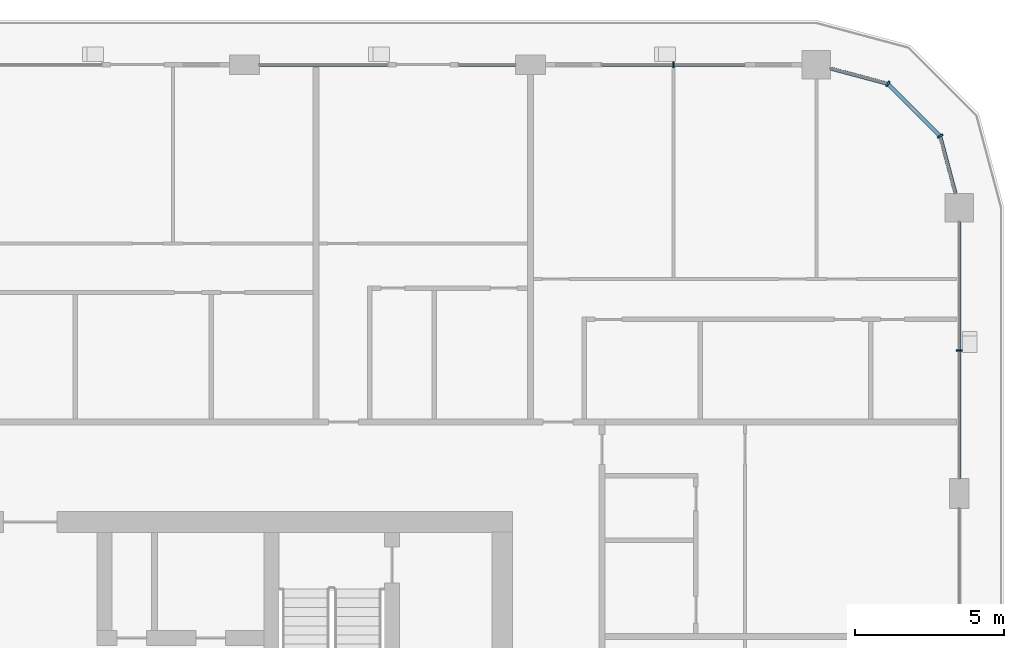
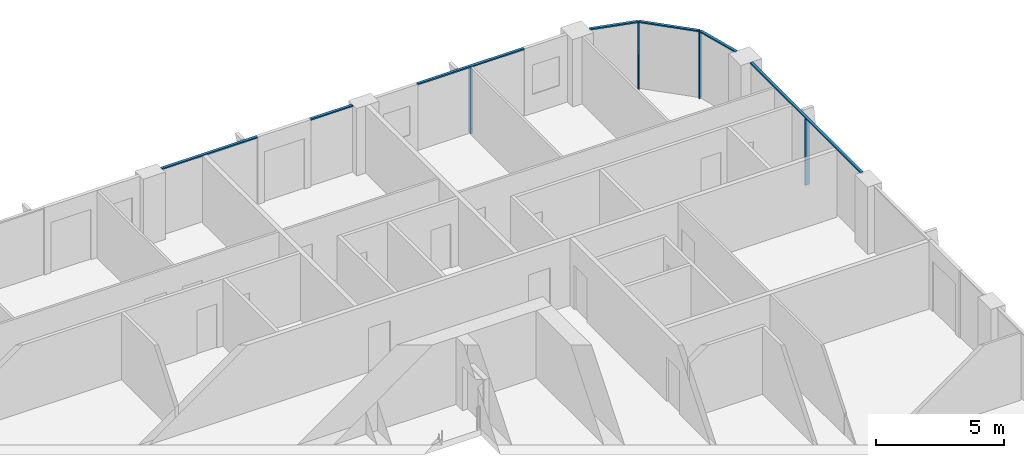
# One storey, part 6 of 23: 11 members, 4 elements without a shape of their own.
"""IFC4 building model written with IfcOpenShell, lengths in metres."""

import ifcopenshell
import ifcopenshell.guid

model = None  # the IFC model being written
_history = None  # IfcOwnerHistory: only IFC2X3 demands one
_inside = {}  # id of a spatial element -> (the spatial element, [elements in it])
_under = {}  # id of a project, library or spatial element -> (it, [spatial elements below it])
_declared = {}  # id of a project -> (the project, [libraries it declares])
_typed = {}  # id of a type object -> (the type object, [elements of that type])
_made_of = {}  # id of a material, layer set ... -> (it, [elements and type objects made of it])


def new_model(schema):
    """Start an empty IFC model of exactly this schema.

    Asked for "IFC4X3", IfcOpenShell would pick the latest addendum, in which some entities
    have other attributes; the version numbers below select the first issue.
    IFC2X3 requires an IfcOwnerHistory on every rooted entity: one is made here for all.
    """
    global model, _history
    if schema == "IFC4X3":
        model = ifcopenshell.file(schema_version=(4, 3, 0, 0))
    else:
        model = ifcopenshell.file(schema=schema)
    _inside.clear()
    _under.clear()
    _declared.clear()
    _typed.clear()
    _made_of.clear()
    _history = None
    if model.schema == "IFC2X3":
        org = make("IfcOrganization", Name="unknown")
        user = make(
            "IfcPersonAndOrganization",
            ThePerson=make("IfcPerson", FamilyName="unknown"),
            TheOrganization=org,
        )
        app = make(
            "IfcApplication",
            ApplicationDeveloper=org,
            Version="unknown",
            ApplicationFullName="unknown",
            ApplicationIdentifier="unknown",
        )
        _history = make(
            "IfcOwnerHistory",
            OwningUser=user,
            OwningApplication=app,
            ChangeAction="ADDED",
            CreationDate=0,
        )
    return model


def make(cls, **values):
    """One entity of the class cls with the attributes given. An attribute that is None is left unset."""
    return model.create_entity(
        cls, **{name: value for name, value in values.items() if value is not None}
    )


def rooted(cls, **values):
    """An entity with a GlobalId (a new one), such as an element, a storey or a relation."""
    return make(cls, GlobalId=ifcopenshell.guid.new(), OwnerHistory=_history, **values)


def si_unit(unit_type, name, prefix=None):
    """IfcSIUnit, for example si_unit("LENGTHUNIT", "METRE", prefix="MILLI")."""
    return make("IfcSIUnit", UnitType=unit_type, Prefix=prefix, Name=name)


def assignment(units):
    """IfcUnitAssignment: the units of a project."""
    return None if units is None else make("IfcUnitAssignment", Units=units)


def point(xyz):
    """IfcCartesianPoint."""
    return None if xyz is None else make("IfcCartesianPoint", Coordinates=xyz)


def direction(xyz):
    """IfcDirection."""
    return None if xyz is None else make("IfcDirection", DirectionRatios=xyz)


def frame(location, z_axis=None, x_axis=None):
    """IfcAxis2Placement3D, a coordinate frame: its origin and axes. An axis left out is left unset."""
    return make(
        "IfcAxis2Placement3D",
        Location=point(location),
        Axis=direction(z_axis),
        RefDirection=direction(x_axis),
    )


def frame_2d(location, x_axis=None):
    """IfcAxis2Placement2D, a coordinate frame in the plane: its origin and x axis."""
    return make(
        "IfcAxis2Placement2D", Location=point(location), RefDirection=direction(x_axis)
    )


def origin():
    """The frame at (0, 0, 0) with its axes left unset."""
    return frame((0.0, 0.0, 0.0))


def origin_2d():
    """The frame at (0, 0) in the plane with its x axis left unset."""
    return frame_2d((0.0, 0.0))


def place(relative_to, where):
    """IfcLocalPlacement: puts the frame where relative to a parent placement (None: the world)."""
    return make(
        "IfcLocalPlacement", PlacementRelTo=relative_to, RelativePlacement=where
    )


def context(
    kind, dimensions, precision=None, world=None, true_north=None, identifier=None
):
    """IfcGeometricRepresentationContext, for example the 3D "Model" context."""
    return make(
        "IfcGeometricRepresentationContext",
        ContextIdentifier=identifier,
        ContextType=kind,
        CoordinateSpaceDimension=dimensions,
        Precision=precision,
        WorldCoordinateSystem=world,
        TrueNorth=true_north,
    )


def subcontext(parent, identifier, kind, view, scale=None):
    """IfcGeometricRepresentationSubContext, for example "Body" below "Model"."""
    return make(
        "IfcGeometricRepresentationSubContext",
        ContextIdentifier=identifier,
        ContextType=kind,
        ParentContext=parent,
        TargetScale=scale,
        TargetView=view,
    )


def project(units=None, contexts=None):
    """IfcProject with its units and contexts."""
    return rooted(
        "IfcProject",
        Name="project",
        RepresentationContexts=contexts,
        UnitsInContext=assignment(units),
    )


def spatial(cls, under=None, at=None, **own):
    """A site, building, storey or space (cls), placed at a placement, below another one or the project."""
    s = rooted(cls, ObjectPlacement=at, **own)
    if under is not None:
        _under.setdefault(under.id(), (under, []))[1].append(s)
    return s


def profile(cls, at=None, kind="AREA", **sizes):
    """A parametric profile (cls). Its sizes go by their IFC names, for example OverallWidth=200.0."""
    return make(cls, ProfileType=kind, Position=at, **sizes)


def rectangle(**sizes):
    """IfcRectangleProfileDef."""
    return profile("IfcRectangleProfileDef", **sizes)


def extrude(swept, where, along, depth):
    """IfcExtrudedAreaSolid: the profile swept, set in the frame where, extruded along a direction by depth."""
    return make(
        "IfcExtrudedAreaSolid",
        SweptArea=swept,
        Position=where,
        ExtrudedDirection=direction(along),
        Depth=depth,
    )


def shape(context_of_items, identifier, shape_type, items):
    """IfcShapeRepresentation: the items that make up one representation, for example the "Body"."""
    return make(
        "IfcShapeRepresentation",
        ContextOfItems=context_of_items,
        RepresentationIdentifier=identifier,
        RepresentationType=shape_type,
        Items=items,
    )


def material(Name=None, Category=None):
    """IfcMaterial."""
    return make("IfcMaterial", Name=Name, Category=Category)


def layer(
    of_material, thickness, ventilated=None, Name=None, Category=None, Priority=None
):
    """IfcMaterialLayer: one layer of a wall or slab, of a material (None: an air gap)."""
    return make(
        "IfcMaterialLayer",
        Material=of_material,
        LayerThickness=thickness,
        IsVentilated=ventilated,
        Name=Name,
        Category=Category,
        Priority=Priority,
    )


def layer_set(layers, Name=None):
    """IfcMaterialLayerSet."""
    return make("IfcMaterialLayerSet", MaterialLayers=layers, LayerSetName=Name)


def material_profile(
    of_material, cross_section, Name=None, Category=None, Priority=None
):
    """IfcMaterialProfile: a cross section and its material."""
    return make(
        "IfcMaterialProfile",
        Name=Name,
        Material=of_material,
        Profile=cross_section,
        Priority=Priority,
        Category=Category,
    )


def profile_set(profiles, Name=None, composite=None):
    """IfcMaterialProfileSet."""
    return make(
        "IfcMaterialProfileSet",
        Name=Name,
        MaterialProfiles=profiles,
        CompositeProfile=composite,
    )


def made_of(thing, what):
    """Note that an element or type object is made of a material, layer set ...; save() writes the relation."""
    if what is not None:
        _made_of.setdefault(what.id(), (what, []))[1].append(thing)
    return thing


def type_object(cls, material=None, **own):
    """A type object (cls), such as IfcWallType, which elements share."""
    return made_of(rooted(cls, **own), material)


def element(
    cls,
    number,
    at=None,
    inside=None,
    cuts=None,
    type_object=None,
    material=None,
    context=None,
    identifier="Body",
    shape_type=None,
    held_by="IfcProductDefinitionShape",
    body=None,
    shapes=None,
    **own,
):
    """One element of the class cls, such as IfcWall. Its Tag is "e" and its number.

    at: its placement. inside: the storey or other place that contains it. cuts: it is an
    opening in that element (IfcRelVoidsElement). A single representation is given by context,
    identifier, shape_type and body (its items); several are given by shapes. held_by: the class
    of the entity that holds the representations. save() writes the other relations.
    """
    e = rooted(cls, Tag="e%d" % number, ObjectPlacement=at, **own)
    if body is not None:
        shapes = [shape(context, identifier, shape_type, body)]
    if shapes is not None:
        e.Representation = make(held_by, Representations=shapes)
    if inside is not None:
        _inside.setdefault(inside.id(), (inside, []))[1].append(e)
    if cuts is not None:
        rooted(
            "IfcRelVoidsElement", RelatingBuildingElement=cuts, RelatedOpeningElement=e
        )
    if type_object is not None:
        _typed.setdefault(type_object.id(), (type_object, []))[1].append(e)
    return made_of(e, material)


def aggregate(whole, parts):
    """IfcRelAggregates: a whole, such as a stair, and the parts it consists of."""
    return rooted("IfcRelAggregates", RelatingObject=whole, RelatedObjects=parts)


def save(model, path):
    """Write the relations noted so far, then the file.

    IfcRelAggregates (storeys below a building ...), IfcRelContainedInSpatialStructure (elements
    in a storey), IfcRelDefinesByType, IfcRelAssociatesMaterial and IfcRelDeclares: one each for
    every whole, place, type object, material and project.
    """
    for whole, parts in _under.values():
        aggregate(whole, parts)
    for where, things in _inside.values():
        rooted(
            "IfcRelContainedInSpatialStructure",
            RelatedElements=things,
            RelatingStructure=where,
        )
    for kind, things in _typed.values():
        rooted("IfcRelDefinesByType", RelatedObjects=things, RelatingType=kind)
    for what, things in _made_of.values():
        rooted("IfcRelAssociatesMaterial", RelatedObjects=things, RelatingMaterial=what)
    for by, libraries in _declared.values():
        rooted("IfcRelDeclares", RelatingContext=by, RelatedDefinitions=libraries)
    model.write(path)


model = new_model("IFC4")

# Units and contexts
model_context = context("Model", 3, precision=1e-05, world=origin(), true_north=direction((0.0, 1.0)))
body_context = subcontext(model_context, "Body", "Model", "MODEL_VIEW")
ifc_project = project(units=[si_unit("LENGTHUNIT", "METRE"), si_unit("AREAUNIT", "SQUARE_METRE"), si_unit("VOLUMEUNIT", "CUBIC_METRE"), si_unit("PLANEANGLEUNIT", "RADIAN"), si_unit("MASSUNIT", "GRAM", prefix="KILO")], contexts=[model_context])

# Site, building, storey
site_placement = place(None, origin())
site = spatial("IfcSite", under=ifc_project, at=site_placement, CompositionType="ELEMENT")
building_placement = place(site_placement, origin())
building = spatial("IfcBuilding", under=site, at=building_placement, Name="Madar Terraces", CompositionType="ELEMENT")
storey_placement = place(building_placement, frame((0.0, 0.0, 212.300048828125)))
storey = spatial("IfcBuildingStorey", under=building, at=storey_placement, Name="L55", CompositionType="ELEMENT", Elevation=212.300048828125)

# Curtain wall, member
ifc_material_1 = material(Name="Glass, ceramic frit dark grey, with black aluminium frame", Category="aluminium")
ifc_layer = layer(ifc_material_1, 0.199951171875)
ifc_layer_set = layer_set([ifc_layer], Name="Facade curtain wall, fritted glass")
curtain_wall_type = type_object("IfcCurtainWallType", Name="Facade curtain wall, fritted glass", PredefinedType="NOTDEFINED", material=ifc_layer_set)
curtain_wall_1_placement = place(storey_placement, origin())
curtain_wall_1 = element("IfcCurtainWall", 1, at=curtain_wall_1_placement, inside=storey, type_object=curtain_wall_type, Name="Outer skin curtain wall east bay 4", PredefinedType="NOTDEFINED")
ifc_material_2 = material(Name="Aluminium, black anodised", Category="aluminium")
ifc_material_profile_1 = material_profile(ifc_material_2, rectangle(XDim=0.199951171875, YDim=0.06005859375, at=origin_2d()), Name="Facade mullion 60x200")
ifc_profile_set_1 = profile_set([ifc_material_profile_1], Name="Aluminium, black anodised")
member_type_1 = type_object("IfcMemberType", Name="Facade mullion 60x200", PredefinedType="MULLION", material=ifc_profile_set_1)
member_1_placement = place(storey_placement, frame((62.39990234375, 43.199951171875, 0.0), z_axis=(0.0, 0.0, 1.0), x_axis=(-1.0, 0.0, 0.0)))
member_1 = element("IfcMember", 2, at=member_1_placement, type_object=member_type_1, Name="Mullion 1", PredefinedType="MULLION", context=body_context, shape_type="SweptSolid", body=[
    extrude(rectangle(XDim=0.199951171875, YDim=0.06005859375, at=origin_2d()), origin(), (0.0, 0.0, 1.0), 3.139892578125),
])

curtain_wall_2_placement = place(storey_placement, origin())
curtain_wall_2 = element("IfcCurtainWall", 3, at=curtain_wall_2_placement, inside=storey, type_object=curtain_wall_type, Name="Outer skin curtain wall north bay 1", PredefinedType="NOTDEFINED")
member_2_placement = place(storey_placement, frame((52.800048828125, 52.800048828125, 0.0), z_axis=(0.0, 0.0, 1.0), x_axis=(0.0, -1.0, 0.0)))
member_2 = element("IfcMember", 4, at=member_2_placement, type_object=member_type_1, Name="Mullion 1", PredefinedType="MULLION", context=body_context, shape_type="SweptSolid", body=[
    extrude(rectangle(XDim=0.199951171875, YDim=0.06005859375, at=origin_2d()), origin(), (0.0, 0.0, 1.0), 3.139892578125),
])

# Curtain wall, members
curtain_wall_3_placement = place(storey_placement, origin())
curtain_wall_3 = element("IfcCurtainWall", 5, at=curtain_wall_3_placement, inside=storey, type_object=curtain_wall_type, Name="Outer skin curtain wall north-east corner", PredefinedType="NOTDEFINED")
member_3_placement = place(storey_placement, frame((61.7568359375, 50.39990234375, 0.0), z_axis=(0.0, 0.0, 1.0), x_axis=(-0.866025409797, -0.499999989586, 0.0)))
member_3 = element("IfcMember", 6, at=member_3_placement, type_object=member_type_1, Name="Mullion 1", PredefinedType="MULLION", context=body_context, shape_type="SweptSolid", body=[
    extrude(rectangle(XDim=0.199951171875, YDim=0.06005859375, at=origin_2d()), origin(), (0.0, 0.0, 1.0), 3.139892578125),
])
member_4_placement = place(storey_placement, frame((60.0, 52.156982421875, 0.0), z_axis=(0.0, 0.0, 1.0), x_axis=(-0.499999989586, -0.866025409797, 0.0)))
member_4 = element("IfcMember", 7, at=member_4_placement, type_object=member_type_1, Name="Mullion 2", PredefinedType="MULLION", context=body_context, shape_type="SweptSolid", body=[
    extrude(rectangle(XDim=0.199951171875, YDim=0.06005859375, at=origin_2d()), origin(), (0.0, 0.0, 1.0), 3.139892578125),
])

# Member
ifc_material_3 = material(Name="Aluminium, black anodised", Category="aluminium")
ifc_material_profile_2 = material_profile(ifc_material_3, rectangle(XDim=0.1201171875, YDim=0.06005859375, at=origin_2d()), Name="Facade transom 60x120")
ifc_profile_set_2 = profile_set([ifc_material_profile_2], Name="Aluminium, black anodised")
member_type_2 = type_object("IfcMemberType", Name="Facade transom 60x120", PredefinedType="USERDEFINED", material=ifc_profile_set_2)
member_5_placement = place(storey_placement, frame((62.39990234375, 38.89990234375, 3.169921875), z_axis=(0.0, 1.0, 0.0), x_axis=(-1.0, 0.0, 0.0)))
member_5 = element("IfcMember", 8, at=member_5_placement, type_object=member_type_2, Name="Transom 1", ObjectType="TRANSOM", PredefinedType="USERDEFINED", context=body_context, shape_type="SweptSolid", body=[
    extrude(rectangle(XDim=0.1201171875, YDim=0.06005859375, at=origin_2d()), origin(), (0.0, 0.0, 1.0), 8.625),
])

aggregate(curtain_wall_1, [member_1, member_5])

member_6_placement = place(storey_placement, frame((55.199951171875, 52.800048828125, 3.169921875), z_axis=(-1.0, 0.0, 0.0), x_axis=(0.0, -1.0, 0.0)))
member_6 = element("IfcMember", 9, at=member_6_placement, type_object=member_type_2, Name="Transom 1", ObjectType="TRANSOM", PredefinedType="USERDEFINED", context=body_context, shape_type="SweptSolid", body=[
    extrude(rectangle(XDim=0.1201171875, YDim=0.06005859375, at=origin_2d()), origin(), (0.0, 0.0, 1.0), 4.800048828125),
])

aggregate(curtain_wall_2, [member_2, member_6])

# Curtain wall, members
curtain_wall_4_placement = place(storey_placement, origin())
curtain_wall_4 = element("IfcCurtainWall", 10, at=curtain_wall_4_placement, inside=storey, type_object=curtain_wall_type, Name="Outer skin curtain wall north bay 2", PredefinedType="NOTDEFINED")
member_7_placement = place(storey_placement, frame((47.5, 52.800048828125, 3.169921875), z_axis=(-1.0, 0.0, 0.0), x_axis=(0.0, -1.0, 0.0)))
member_7 = element("IfcMember", 11, at=member_7_placement, type_object=member_type_2, Name="Transom 1", ObjectType="TRANSOM", PredefinedType="USERDEFINED", context=body_context, shape_type="SweptSolid", body=[
    extrude(rectangle(XDim=0.1201171875, YDim=0.06005859375, at=origin_2d()), origin(), (0.0, 0.0, 1.0), 1.89990234375),
])
member_8_placement = place(storey_placement, frame((43.199951171875, 52.800048828125, 3.169921875), z_axis=(-1.0, 0.0, 0.0), x_axis=(0.0, -1.0, 0.0)))
member_8 = element("IfcMember", 12, at=member_8_placement, type_object=member_type_2, Name="Transom 2", ObjectType="TRANSOM", PredefinedType="USERDEFINED", context=body_context, shape_type="SweptSolid", body=[
    extrude(rectangle(XDim=0.1201171875, YDim=0.06005859375, at=origin_2d()), origin(), (0.0, 0.0, 1.0), 4.300048828125),
])
aggregate(curtain_wall_4, [member_7, member_8])

# Member
member_9_placement = place(storey_placement, frame((62.272705078125, 48.47509765625, 3.169921875), z_axis=(-0.258831412352, 0.96592251241, 0.0), x_axis=(-0.96592251241, -0.258831412352, 0.0)))
member_9 = element("IfcMember", 13, at=member_9_placement, type_object=member_type_2, Name="Transom 1", ObjectType="TRANSOM", PredefinedType="USERDEFINED", context=body_context, shape_type="SweptSolid", body=[
    extrude(rectangle(XDim=0.1201171875, YDim=0.06005859375, at=origin_2d()), origin(), (0.0, 0.0, 1.0), 1.962890625),
])

member_10_placement = place(storey_placement, frame((61.735595703125, 50.421142578125, 3.169921875), z_axis=(-0.707056433593, 0.707157125196, 0.0), x_axis=(-0.707157125196, -0.707056433593, 0.0)))
member_10 = element("IfcMember", 14, at=member_10_placement, type_object=member_type_2, Name="Transom 2", ObjectType="TRANSOM", PredefinedType="USERDEFINED", context=body_context, shape_type="SweptSolid", body=[
    extrude(rectangle(XDim=0.1201171875, YDim=0.06005859375, at=origin_2d()), origin(), (0.0, 0.0, 1.0), 2.424560546875),
])

member_11_placement = place(storey_placement, frame((59.970947265625, 52.164794921875, 3.169921875), z_axis=(-0.965953602414, 0.258715360935, 0.0), x_axis=(-0.258715360935, -0.965953602414, 0.0)))
member_11 = element("IfcMember", 15, at=member_11_placement, type_object=member_type_2, Name="Transom 3", ObjectType="TRANSOM", PredefinedType="USERDEFINED", context=body_context, shape_type="SweptSolid", body=[
    extrude(rectangle(XDim=0.1201171875, YDim=0.06005859375, at=origin_2d()), origin(), (0.0, 0.0, 1.0), 1.962890625),
])

aggregate(curtain_wall_3, [member_3, member_9, member_4, member_10, member_11])

save(model, "model.ifc")
